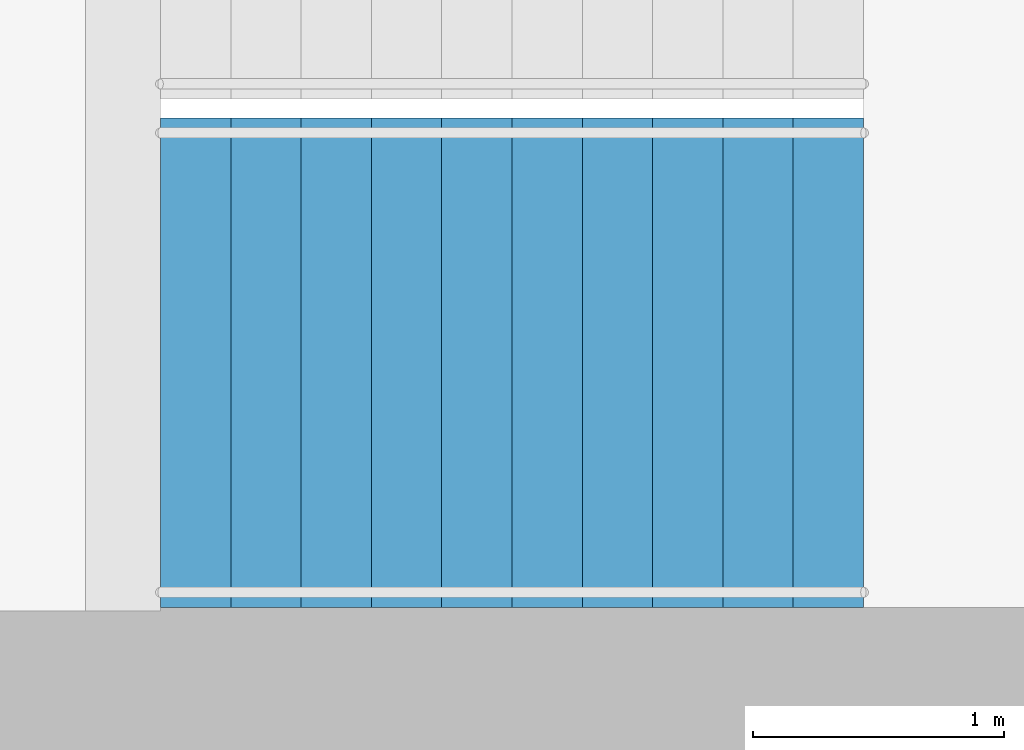
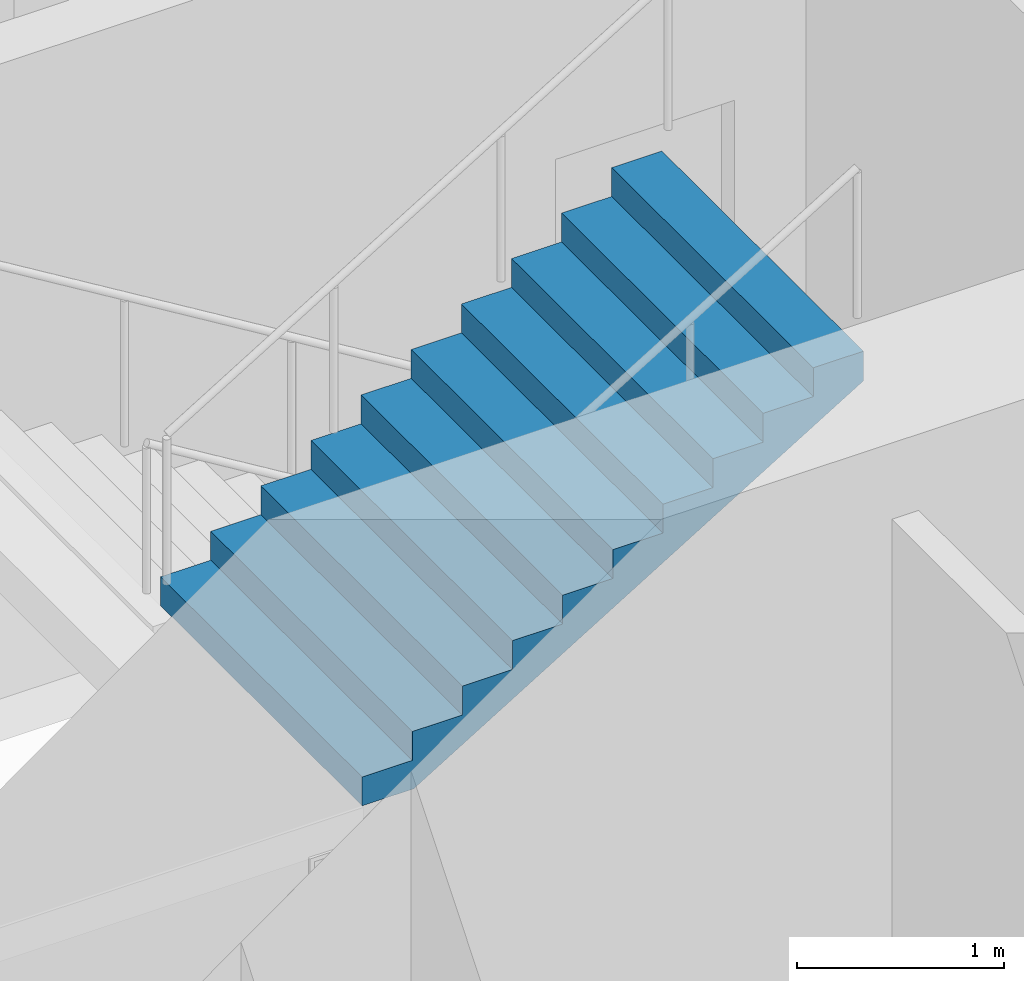
# One storey, part 19 of 21: 1 stair flight, 1 element without a shape of its own.
"""IFC4 building model written with IfcOpenShell, lengths in metres."""

from ifc_helpers import new_model, si_unit, direction, frame, origin, place, context, subcontext, project, spatial, triangles, material, type_object, element, aggregate, save


model = new_model("IFC4")

# Units and contexts
model_context = context("Model", 3, precision=1e-05, world=origin(), true_north=direction((0.0, 1.0)))
body_context = subcontext(model_context, "Body", "Model", "MODEL_VIEW")
ifc_project = project(units=[si_unit("LENGTHUNIT", "METRE"), si_unit("AREAUNIT", "SQUARE_METRE"), si_unit("VOLUMEUNIT", "CUBIC_METRE"), si_unit("PLANEANGLEUNIT", "RADIAN"), si_unit("MASSUNIT", "GRAM", prefix="KILO")], contexts=[model_context])

# Site, building, storey
site_placement = place(None, origin())
site = spatial("IfcSite", under=ifc_project, at=site_placement, CompositionType="ELEMENT")
building_placement = place(site_placement, origin())
building = spatial("IfcBuilding", under=site, at=building_placement, Name="Orbita Commons", CompositionType="ELEMENT")
storey_placement = place(building_placement, frame((0.0, 0.0, 95.64990234375)))
storey = spatial("IfcBuildingStorey", under=building, at=storey_placement, Name="L23", CompositionType="ELEMENT", Elevation=95.64990234375)

# Stair, stair flight
ifc_material_1 = material(Name="Precast concrete C40/50", Category="concrete")
stair_type = type_object("IfcStairType", Name="Exit stair S2 2 flights 11 risers 170", PredefinedType="HALF_TURN_STAIR", material=ifc_material_1)
stair_placement = place(storey_placement, origin())
stair = element("IfcStair", 1, at=stair_placement, inside=storey, type_object=stair_type, Name="Exit stair S2 L23", PredefinedType="HALF_TURN_STAIR")
ifc_material_2 = material(Name="Precast concrete C40/50", Category="concrete")
stair_flight_type = type_object("IfcStairFlightType", Name="Stair flight 11 risers 170 x 280", PredefinedType="STRAIGHT", material=ifc_material_2)
stair_flight_placement = place(storey_placement, frame((60.75, 27.25, 1.875), z_axis=(0.0, 0.0, 1.0), x_axis=(1.0, 0.0, 0.0)))
stair_flight = element("IfcStairFlight", 2, at=stair_flight_placement, type_object=stair_flight_type, Name="S2 flight 2", NumberOfRisers=11, NumberOfTreads=10, PredefinedType="STRAIGHT", RiserHeight=0.170454545, TreadLength=0.28, context=body_context, shape_type="Tessellation", body=[
    triangles([(0.0, 0.974976, 0.0), (0.0, 0.974976, 0.021307), (0.0, 0.81248, 0.021307), (0.0, 0.81248, 0.0), (0.0, 0.649984, 0.021307), (0.0, 0.649984, 0.0), (0.0, 0.487488, 0.021307), (0.0, 0.487488, 0.0), (0.0, 0.324992, 0.021307), (0.0, 0.324992, 0.0), (0.0, 0.162496, 0.021307), (0.0, 0.162496, 0.0), (0.0, 0.0, 0.021307), (0.0, 0.0, 0.0), (0.0, -0.162496, 0.021307), (0.0, -0.162496, 0.0), (0.0, -0.324992, 0.021307), (0.0, -0.324992, 0.0), (0.0, -0.487488, 0.021307), (0.0, -0.487488, 0.0), (0.0, -0.649984, 0.021307), (0.0, -0.649984, 0.0), (0.0, -0.81248, 0.021307), (0.0, -0.81248, 0.0), (0.0, -0.974976, 0.021307), (0.0, -0.974976, 0.0), (0.0, 0.974976, 0.042614), (0.0, 0.81248, 0.042614), (0.0, 0.649984, 0.042614), (0.0, 0.487488, 0.042614), (0.0, 0.324992, 0.042614), (0.0, 0.162496, 0.042614), (0.0, 0.0, 0.042614), (0.0, -0.162496, 0.042614), (0.0, -0.324992, 0.042614), (0.0, -0.487488, 0.042614), (0.0, -0.649984, 0.042614), (0.0, -0.81248, 0.042614), (0.0, -0.974976, 0.042614), (0.0, 0.974976, 0.06392), (0.0, 0.81248, 0.06392), (0.0, 0.649984, 0.06392), (0.0, 0.487488, 0.06392), (0.0, 0.324992, 0.06392), (0.0, 0.162496, 0.06392), (0.0, 0.0, 0.06392), (0.0, -0.162496, 0.06392), (0.0, -0.324992, 0.06392), (0.0, -0.487488, 0.06392), (0.0, -0.649984, 0.06392), (0.0, -0.81248, 0.06392), (0.0, -0.974976, 0.06392), (0.0, 0.974976, 0.085227), (0.0, 0.81248, 0.085227), (0.0, 0.649984, 0.085227), (0.0, 0.487488, 0.085227), (0.0, 0.324992, 0.085227), (0.0, 0.162496, 0.085227), (0.0, 0.0, 0.085227), (0.0, -0.162496, 0.085227), (0.0, -0.324992, 0.085227), (0.0, -0.487488, 0.085227), (0.0, -0.649984, 0.085227), (0.0, -0.81248, 0.085227), (0.0, -0.974976, 0.085227), (0.0, 0.974976, 0.106534), (0.0, 0.81248, 0.106534), (0.0, 0.649984, 0.106534), (0.0, 0.487488, 0.106534), (0.0, 0.324992, 0.106534), (0.0, 0.162496, 0.106534), (0.0, 0.0, 0.106534), (0.0, -0.162496, 0.106534), (0.0, -0.324992, 0.106534), (0.0, -0.487488, 0.106534), (0.0, -0.649984, 0.106534), (0.0, -0.81248, 0.106534), (0.0, -0.974976, 0.106534), (0.0, 0.974976, 0.127841), (0.0, 0.81248, 0.127841), (0.0, 0.649984, 0.127841), (0.0, 0.487488, 0.127841), (0.0, 0.324992, 0.127841), (0.0, 0.162496, 0.127841), (0.0, 0.0, 0.127841), (0.0, -0.162496, 0.127841), (0.0, -0.324992, 0.127841), (0.0, -0.487488, 0.127841), (0.0, -0.649984, 0.127841), (0.0, -0.81248, 0.127841), (0.0, -0.974976, 0.127841), (0.0, 0.974976, 0.149148), (0.0, 0.81248, 0.149148), (0.0, 0.649984, 0.149148), (0.0, 0.487488, 0.149148), (0.0, 0.324992, 0.149148), (0.0, 0.162496, 0.149148), (0.0, 0.0, 0.149148), (0.0, -0.162496, 0.149148), (0.0, -0.324992, 0.149148), (0.0, -0.487488, 0.149148), (0.0, -0.649984, 0.149148), (0.0, -0.81248, 0.149148), (0.0, -0.974976, 0.149148), (0.0, 0.974976, 0.170455), (0.0, 0.81248, 0.170455), (0.0, 0.649984, 0.170455), (0.0, 0.487488, 0.170455), (0.0, 0.324992, 0.170455), (0.0, 0.162496, 0.170455), (0.0, 0.0, 0.170455), (0.0, -0.162496, 0.170455), (0.0, -0.324992, 0.170455), (0.0, -0.487488, 0.170455), (0.0, -0.649984, 0.170455), (0.0, -0.81248, 0.170455), (0.0, -0.974976, 0.170455), (0.28, 0.974976, 0.170455), (0.28, 0.81248, 0.170455), (0.28, 0.649984, 0.170455), (0.28, 0.487488, 0.170455), (0.28, 0.324992, 0.170455), (0.28, 0.162496, 0.170455), (0.28, 0.0, 0.170455), (0.28, -0.162496, 0.170455), (0.28, -0.324992, 0.170455), (0.28, -0.487488, 0.170455), (0.28, -0.649984, 0.170455), (0.28, -0.81248, 0.170455), (0.28, -0.974976, 0.170455), (0.28, 0.974976, 0.340909), (0.28, 0.81248, 0.340909), (0.28, 0.649984, 0.340909), (0.28, 0.487488, 0.340909), (0.28, 0.324992, 0.340909), (0.28, 0.162496, 0.340909), (0.28, 0.0, 0.340909), (0.28, -0.162496, 0.340909), (0.28, -0.324992, 0.340909), (0.28, -0.487488, 0.340909), (0.28, -0.649984, 0.340909), (0.28, -0.81248, 0.340909), (0.28, -0.974976, 0.340909), (0.56, 0.974976, 0.340909), (0.56, 0.81248, 0.340909), (0.56, 0.649984, 0.340909), (0.56, 0.487488, 0.340909), (0.56, 0.324992, 0.340909), (0.56, 0.162496, 0.340909), (0.56, 0.0, 0.340909), (0.56, -0.162496, 0.340909), (0.56, -0.324992, 0.340909), (0.56, -0.487488, 0.340909), (0.56, -0.649984, 0.340909), (0.56, -0.81248, 0.340909), (0.56, -0.974976, 0.340909), (0.56, 0.974976, 0.511364), (0.56, 0.81248, 0.511364), (0.56, 0.649984, 0.511364), (0.56, 0.487488, 0.511364), (0.56, 0.324992, 0.511364), (0.56, 0.162496, 0.511364), (0.56, 0.0, 0.511364), (0.56, -0.162496, 0.511364), (0.56, -0.324992, 0.511364), (0.56, -0.487488, 0.511364), (0.56, -0.649984, 0.511364), (0.56, -0.81248, 0.511364), (0.56, -0.974976, 0.511364), (0.84, 0.974976, 0.511364), (0.84, 0.81248, 0.511364), (0.84, 0.649984, 0.511364), (0.84, 0.487488, 0.511364), (0.84, 0.324992, 0.511364), (0.84, 0.162496, 0.511364), (0.84, 0.0, 0.511364), (0.84, -0.162496, 0.511364), (0.84, -0.324992, 0.511364), (0.84, -0.487488, 0.511364), (0.84, -0.649984, 0.511364), (0.84, -0.81248, 0.511364), (0.84, -0.974976, 0.511364), (0.84, 0.974976, 0.681818), (0.84, 0.81248, 0.681818), (0.84, 0.649984, 0.681818), (0.84, 0.487488, 0.681818), (0.84, 0.324992, 0.681818), (0.84, 0.162496, 0.681818), (0.84, 0.0, 0.681818), (0.84, -0.162496, 0.681818), (0.84, -0.324992, 0.681818), (0.84, -0.487488, 0.681818), (0.84, -0.649984, 0.681818), (0.84, -0.81248, 0.681818), (0.84, -0.974976, 0.681818), (1.12, 0.974976, 0.681818), (1.12, 0.81248, 0.681818), (1.12, 0.649984, 0.681818), (1.12, 0.487488, 0.681818), (1.12, 0.324992, 0.681818), (1.12, 0.162496, 0.681818), (1.12, 0.0, 0.681818), (1.12, -0.162496, 0.681818), (1.12, -0.324992, 0.681818), (1.12, -0.487488, 0.681818), (1.12, -0.649984, 0.681818), (1.12, -0.81248, 0.681818), (1.12, -0.974976, 0.681818), (1.12, 0.974976, 0.852273), (1.12, 0.81248, 0.852273), (1.12, 0.649984, 0.852273), (1.12, 0.487488, 0.852273), (1.12, 0.324992, 0.852273), (1.12, 0.162496, 0.852273), (1.12, 0.0, 0.852273), (1.12, -0.162496, 0.852273), (1.12, -0.324992, 0.852273), (1.12, -0.487488, 0.852273), (1.12, -0.649984, 0.852273), (1.12, -0.81248, 0.852273), (1.12, -0.974976, 0.852273), (1.4, 0.974976, 0.852273), (1.4, 0.81248, 0.852273), (1.4, 0.649984, 0.852273), (1.4, 0.487488, 0.852273), (1.4, 0.324992, 0.852273), (1.4, 0.162496, 0.852273), (1.4, 0.0, 0.852273), (1.4, -0.162496, 0.852273), (1.4, -0.324992, 0.852273), (1.4, -0.487488, 0.852273), (1.4, -0.649984, 0.852273), (1.4, -0.81248, 0.852273), (1.4, -0.974976, 0.852273), (1.4, 0.974976, 1.022727), (1.4, 0.81248, 1.022727), (1.4, 0.649984, 1.022727), (1.4, 0.487488, 1.022727), (1.4, 0.324992, 1.022727), (1.4, 0.162496, 1.022727), (1.4, 0.0, 1.022727), (1.4, -0.162496, 1.022727), (1.4, -0.324992, 1.022727), (1.4, -0.487488, 1.022727), (1.4, -0.649984, 1.022727), (1.4, -0.81248, 1.022727), (1.4, -0.974976, 1.022727), (1.68, 0.974976, 1.022727), (1.68, 0.81248, 1.022727), (1.68, 0.649984, 1.022727), (1.68, 0.487488, 1.022727), (1.68, 0.324992, 1.022727), (1.68, 0.162496, 1.022727), (1.68, 0.0, 1.022727), (1.68, -0.162496, 1.022727), (1.68, -0.324992, 1.022727), (1.68, -0.487488, 1.022727), (1.68, -0.649984, 1.022727), (1.68, -0.81248, 1.022727), (1.68, -0.974976, 1.022727), (1.68, 0.974976, 1.193182), (1.68, 0.81248, 1.193182), (1.68, 0.649984, 1.193182), (1.68, 0.487488, 1.193182), (1.68, 0.324992, 1.193182), (1.68, 0.162496, 1.193182), (1.68, 0.0, 1.193182), (1.68, -0.162496, 1.193182), (1.68, -0.324992, 1.193182), (1.68, -0.487488, 1.193182), (1.68, -0.649984, 1.193182), (1.68, -0.81248, 1.193182), (1.68, -0.974976, 1.193182), (1.96, 0.974976, 1.193182), (1.96, 0.81248, 1.193182), (1.96, 0.649984, 1.193182), (1.96, 0.487488, 1.193182), (1.96, 0.324992, 1.193182), (1.96, 0.162496, 1.193182), (1.96, 0.0, 1.193182), (1.96, -0.162496, 1.193182), (1.96, -0.324992, 1.193182), (1.96, -0.487488, 1.193182), (1.96, -0.649984, 1.193182), (1.96, -0.81248, 1.193182), (1.96, -0.974976, 1.193182), (1.96, 0.974976, 1.363636), (1.96, 0.81248, 1.363636), (1.96, 0.649984, 1.363636), (1.96, 0.487488, 1.363636), (1.96, 0.324992, 1.363636), (1.96, 0.162496, 1.363636), (1.96, 0.0, 1.363636), (1.96, -0.162496, 1.363636), (1.96, -0.324992, 1.363636), (1.96, -0.487488, 1.363636), (1.96, -0.649984, 1.363636), (1.96, -0.81248, 1.363636), (1.96, -0.974976, 1.363636), (2.24, 0.974976, 1.363636), (2.24, 0.81248, 1.363636), (2.24, 0.649984, 1.363636), (2.24, 0.487488, 1.363636), (2.24, 0.324992, 1.363636), (2.24, 0.162496, 1.363636), (2.24, 0.0, 1.363636), (2.24, -0.162496, 1.363636), (2.24, -0.324992, 1.363636), (2.24, -0.487488, 1.363636), (2.24, -0.649984, 1.363636), (2.24, -0.81248, 1.363636), (2.24, -0.974976, 1.363636), (2.24, 0.974976, 1.534091), (2.24, 0.81248, 1.534091), (2.24, 0.649984, 1.534091), (2.24, 0.487488, 1.534091), (2.24, 0.324992, 1.534091), (2.24, 0.162496, 1.534091), (2.24, 0.0, 1.534091), (2.24, -0.162496, 1.534091), (2.24, -0.324992, 1.534091), (2.24, -0.487488, 1.534091), (2.24, -0.649984, 1.534091), (2.24, -0.81248, 1.534091), (2.24, -0.974976, 1.534091), (2.52, 0.974976, 1.534091), (2.52, 0.81248, 1.534091), (2.52, 0.649984, 1.534091), (2.52, 0.487488, 1.534091), (2.52, 0.324992, 1.534091), (2.52, 0.162496, 1.534091), (2.52, 0.0, 1.534091), (2.52, -0.162496, 1.534091), (2.52, -0.324992, 1.534091), (2.52, -0.487488, 1.534091), (2.52, -0.649984, 1.534091), (2.52, -0.81248, 1.534091), (2.52, -0.974976, 1.534091), (2.52, 0.974976, 1.704545), (2.52, 0.81248, 1.704545), (2.52, 0.649984, 1.704545), (2.52, 0.487488, 1.704545), (2.52, 0.324992, 1.704545), (2.52, 0.162496, 1.704545), (2.52, 0.0, 1.704545), (2.52, -0.162496, 1.704545), (2.52, -0.324992, 1.704545), (2.52, -0.487488, 1.704545), (2.52, -0.649984, 1.704545), (2.52, -0.81248, 1.704545), (2.52, -0.974976, 1.704545), (2.8, 0.974976, 1.704545), (2.8, 0.81248, 1.704545), (2.8, 0.649984, 1.704545), (2.8, 0.487488, 1.704545), (2.8, 0.324992, 1.704545), (2.8, 0.162496, 1.704545), (2.8, 0.0, 1.704545), (2.8, -0.162496, 1.704545), (2.8, -0.324992, 1.704545), (2.8, -0.487488, 1.704545), (2.8, -0.649984, 1.704545), (2.8, -0.81248, 1.704545), (2.8, -0.974976, 1.704545), (2.8, 0.974976, 1.682609), (2.8, 0.81248, 1.682609), (2.8, 0.649984, 1.682609), (2.8, 0.487488, 1.682609), (2.8, 0.324992, 1.682609), (2.8, 0.162496, 1.682609), (2.8, 0.0, 1.682609), (2.8, -0.162496, 1.682609), (2.8, -0.324992, 1.682609), (2.8, -0.487488, 1.682609), (2.8, -0.649984, 1.682609), (2.8, -0.81248, 1.682609), (2.8, -0.974976, 1.682609), (2.8, 0.974976, 1.660672), (2.8, 0.81248, 1.660672), (2.8, 0.649984, 1.660672), (2.8, 0.487488, 1.660672), (2.8, 0.324992, 1.660672), (2.8, 0.162496, 1.660672), (2.8, 0.0, 1.660672), (2.8, -0.162496, 1.660672), (2.8, -0.324992, 1.660672), (2.8, -0.487488, 1.660672), (2.8, -0.649984, 1.660672), (2.8, -0.81248, 1.660672), (2.8, -0.974976, 1.660672), (2.8, 0.974976, 1.638735), (2.8, 0.81248, 1.638735), (2.8, 0.649984, 1.638735), (2.8, 0.487488, 1.638735), (2.8, 0.324992, 1.638735), (2.8, 0.162496, 1.638735), (2.8, 0.0, 1.638735), (2.8, -0.162496, 1.638735), (2.8, -0.324992, 1.638735), (2.8, -0.487488, 1.638735), (2.8, -0.649984, 1.638735), (2.8, -0.81248, 1.638735), (2.8, -0.974976, 1.638735), (2.8, 0.974976, 1.616798), (2.8, 0.81248, 1.616798), (2.8, 0.649984, 1.616798), (2.8, 0.487488, 1.616798), (2.8, 0.324992, 1.616798), (2.8, 0.162496, 1.616798), (2.8, 0.0, 1.616798), (2.8, -0.162496, 1.616798), (2.8, -0.324992, 1.616798), (2.8, -0.487488, 1.616798), (2.8, -0.649984, 1.616798), (2.8, -0.81248, 1.616798), (2.8, -0.974976, 1.616798), (2.8, 0.974976, 1.594861), (2.8, 0.81248, 1.594861), (2.8, 0.649984, 1.594861), (2.8, 0.487488, 1.594861), (2.8, 0.324992, 1.594861), (2.8, 0.162496, 1.594861), (2.8, 0.0, 1.594861), (2.8, -0.162496, 1.594861), (2.8, -0.324992, 1.594861), (2.8, -0.487488, 1.594861), (2.8, -0.649984, 1.594861), (2.8, -0.81248, 1.594861), (2.8, -0.974976, 1.594861), (2.8, 0.974976, 1.572925), (2.8, 0.81248, 1.572925), (2.8, 0.649984, 1.572925), (2.8, 0.487488, 1.572925), (2.8, 0.324992, 1.572925), (2.8, 0.162496, 1.572925), (2.8, 0.0, 1.572925), (2.8, -0.162496, 1.572925), (2.8, -0.324992, 1.572925), (2.8, -0.487488, 1.572925), (2.8, -0.649984, 1.572925), (2.8, -0.81248, 1.572925), (2.8, -0.974976, 1.572925), (2.8, 0.974976, 1.550988), (2.8, 0.81248, 1.550988), (2.8, 0.649984, 1.550988), (2.8, 0.487488, 1.550988), (2.8, 0.324992, 1.550988), (2.8, 0.162496, 1.550988), (2.8, 0.0, 1.550988), (2.8, -0.162496, 1.550988), (2.8, -0.324992, 1.550988), (2.8, -0.487488, 1.550988), (2.8, -0.649984, 1.550988), (2.8, -0.81248, 1.550988), (2.8, -0.974976, 1.550988), (2.8, 0.974976, 1.529051), (2.8, 0.81248, 1.529051), (2.8, 0.649984, 1.529051), (2.8, 0.487488, 1.529051), (2.8, 0.324992, 1.529051), (2.8, 0.162496, 1.529051), (2.8, 0.0, 1.529051), (2.8, -0.162496, 1.529051), (2.8, -0.324992, 1.529051), (2.8, -0.487488, 1.529051), (2.8, -0.649984, 1.529051), (2.8, -0.81248, 1.529051), (2.8, -0.974976, 1.529051), (0.288279, 0.974976, 0.0), (0.288279, 0.81248, 0.0), (0.288279, 0.649984, 0.0), (0.288279, 0.487488, 0.0), (0.288279, 0.324992, 0.0), (0.288279, 0.162496, 0.0), (0.288279, 0.0, 0.0), (0.288279, -0.162496, 0.0), (0.288279, -0.324992, 0.0), (0.288279, -0.487488, 0.0), (0.288279, -0.649984, 0.0), (0.288279, -0.81248, 0.0), (0.288279, -0.974976, 0.0)], [[3, 2, 1], [4, 3, 1], [5, 3, 4], [6, 5, 4], [7, 5, 6], [8, 7, 6], [9, 7, 8], [10, 9, 8], [11, 9, 10], [12, 11, 10], [13, 11, 12], [14, 13, 12], [15, 13, 14], [16, 15, 14], [17, 15, 16], [18, 17, 16], [19, 17, 18], [20, 19, 18], [21, 19, 20], [22, 21, 20], [23, 21, 22], [24, 23, 22], [25, 23, 24], [26, 25, 24], [28, 27, 2], [3, 28, 2], [29, 28, 3], [5, 29, 3], [30, 29, 5], [7, 30, 5], [31, 30, 7], [9, 31, 7], [32, 31, 9], [11, 32, 9], [33, 32, 11], [13, 33, 11], [34, 33, 13], [15, 34, 13], [35, 34, 15], [17, 35, 15], [36, 35, 17], [19, 36, 17], [37, 36, 19], [21, 37, 19], [38, 37, 21], [23, 38, 21], [39, 38, 23], [25, 39, 23], [41, 40, 27], [28, 41, 27], [42, 41, 28], [29, 42, 28], [43, 42, 29], [30, 43, 29], [44, 43, 30], [31, 44, 30], [45, 44, 31], [32, 45, 31], [46, 45, 32], [33, 46, 32], [47, 46, 33], [34, 47, 33], [48, 47, 34], [35, 48, 34], [49, 48, 35], [36, 49, 35], [50, 49, 36], [37, 50, 36], [51, 50, 37], [38, 51, 37], [52, 51, 38], [39, 52, 38], [54, 53, 40], [41, 54, 40], [55, 54, 41], [42, 55, 41], [56, 55, 42], [43, 56, 42], [57, 56, 43], [44, 57, 43], [58, 57, 44], [45, 58, 44], [59, 58, 45], [46, 59, 45], [60, 59, 46], [47, 60, 46], [61, 60, 47], [48, 61, 47], [62, 61, 48], [49, 62, 48], [63, 62, 49], [50, 63, 49], [64, 63, 50], [51, 64, 50], [65, 64, 51], [52, 65, 51], [67, 66, 53], [54, 67, 53], [68, 67, 54], [55, 68, 54], [69, 68, 55], [56, 69, 55], [70, 69, 56], [57, 70, 56], [71, 70, 57], [58, 71, 57], [72, 71, 58], [59, 72, 58], [73, 72, 59], [60, 73, 59], [74, 73, 60], [61, 74, 60], [75, 74, 61], [62, 75, 61], [76, 75, 62], [63, 76, 62], [77, 76, 63], [64, 77, 63], [78, 77, 64], [65, 78, 64], [80, 79, 66], [67, 80, 66], [81, 80, 67], [68, 81, 67], [82, 81, 68], [69, 82, 68], [83, 82, 69], [70, 83, 69], [84, 83, 70], [71, 84, 70], [85, 84, 71], [72, 85, 71], [86, 85, 72], [73, 86, 72], [87, 86, 73], [74, 87, 73], [88, 87, 74], [75, 88, 74], [89, 88, 75], [76, 89, 75], [90, 89, 76], [77, 90, 76], [91, 90, 77], [78, 91, 77], [93, 92, 79], [80, 93, 79], [94, 93, 80], [81, 94, 80], [95, 94, 81], [82, 95, 81], [96, 95, 82], [83, 96, 82], [97, 96, 83], [84, 97, 83], [98, 97, 84], [85, 98, 84], [99, 98, 85], [86, 99, 85], [100, 99, 86], [87, 100, 86], [101, 100, 87], [88, 101, 87], [102, 101, 88], [89, 102, 88], [103, 102, 89], [90, 103, 89], [104, 103, 90], [91, 104, 90], [106, 105, 92], [93, 106, 92], [107, 106, 93], [94, 107, 93], [108, 107, 94], [95, 108, 94], [109, 108, 95], [96, 109, 95], [110, 109, 96], [97, 110, 96], [111, 110, 97], [98, 111, 97], [112, 111, 98], [99, 112, 98], [113, 112, 99], [100, 113, 99], [114, 113, 100], [101, 114, 100], [115, 114, 101], [102, 115, 101], [116, 115, 102], [103, 116, 102], [117, 116, 103], [104, 117, 103], [119, 118, 105], [106, 119, 105], [120, 119, 106], [107, 120, 106], [121, 120, 107], [108, 121, 107], [122, 121, 108], [109, 122, 108], [123, 122, 109], [110, 123, 109], [124, 123, 110], [111, 124, 110], [125, 124, 111], [112, 125, 111], [126, 125, 112], [113, 126, 112], [127, 126, 113], [114, 127, 113], [128, 127, 114], [115, 128, 114], [129, 128, 115], [116, 129, 115], [130, 129, 116], [117, 130, 116], [132, 131, 118], [119, 132, 118], [133, 132, 119], [120, 133, 119], [134, 133, 120], [121, 134, 120], [135, 134, 121], [122, 135, 121], [136, 135, 122], [123, 136, 122], [137, 136, 123], [124, 137, 123], [138, 137, 124], [125, 138, 124], [139, 138, 125], [126, 139, 125], [140, 139, 126], [127, 140, 126], [141, 140, 127], [128, 141, 127], [142, 141, 128], [129, 142, 128], [143, 142, 129], [130, 143, 129], [145, 144, 131], [132, 145, 131], [146, 145, 132], [133, 146, 132], [147, 146, 133], [134, 147, 133], [148, 147, 134], [135, 148, 134], [149, 148, 135], [136, 149, 135], [150, 149, 136], [137, 150, 136], [151, 150, 137], [138, 151, 137], [152, 151, 138], [139, 152, 138], [153, 152, 139], [140, 153, 139], [154, 153, 140], [141, 154, 140], [155, 154, 141], [142, 155, 141], [156, 155, 142], [143, 156, 142], [158, 157, 144], [145, 158, 144], [159, 158, 145], [146, 159, 145], [160, 159, 146], [147, 160, 146], [161, 160, 147], [148, 161, 147], [162, 161, 148], [149, 162, 148], [163, 162, 149], [150, 163, 149], [164, 163, 150], [151, 164, 150], [165, 164, 151], [152, 165, 151], [166, 165, 152], [153, 166, 152], [167, 166, 153], [154, 167, 153], [168, 167, 154], [155, 168, 154], [169, 168, 155], [156, 169, 155], [171, 170, 157], [158, 171, 157], [172, 171, 158], [159, 172, 158], [173, 172, 159], [160, 173, 159], [174, 173, 160], [161, 174, 160], [175, 174, 161], [162, 175, 161], [176, 175, 162], [163, 176, 162], [177, 176, 163], [164, 177, 163], [178, 177, 164], [165, 178, 164], [179, 178, 165], [166, 179, 165], [180, 179, 166], [167, 180, 166], [181, 180, 167], [168, 181, 167], [182, 181, 168], [169, 182, 168], [184, 183, 170], [171, 184, 170], [185, 184, 171], [172, 185, 171], [186, 185, 172], [173, 186, 172], [187, 186, 173], [174, 187, 173], [188, 187, 174], [175, 188, 174], [189, 188, 175], [176, 189, 175], [190, 189, 176], [177, 190, 176], [191, 190, 177], [178, 191, 177], [192, 191, 178], [179, 192, 178], [193, 192, 179], [180, 193, 179], [194, 193, 180], [181, 194, 180], [195, 194, 181], [182, 195, 181], [197, 196, 183], [184, 197, 183], [198, 197, 184], [185, 198, 184], [199, 198, 185], [186, 199, 185], [200, 199, 186], [187, 200, 186], [201, 200, 187], [188, 201, 187], [202, 201, 188], [189, 202, 188], [203, 202, 189], [190, 203, 189], [204, 203, 190], [191, 204, 190], [205, 204, 191], [192, 205, 191], [206, 205, 192], [193, 206, 192], [207, 206, 193], [194, 207, 193], [208, 207, 194], [195, 208, 194], [210, 209, 196], [197, 210, 196], [211, 210, 197], [198, 211, 197], [212, 211, 198], [199, 212, 198], [213, 212, 199], [200, 213, 199], [214, 213, 200], [201, 214, 200], [215, 214, 201], [202, 215, 201], [216, 215, 202], [203, 216, 202], [217, 216, 203], [204, 217, 203], [218, 217, 204], [205, 218, 204], [219, 218, 205], [206, 219, 205], [220, 219, 206], [207, 220, 206], [221, 220, 207], [208, 221, 207], [223, 222, 209], [210, 223, 209], [224, 223, 210], [211, 224, 210], [225, 224, 211], [212, 225, 211], [226, 225, 212], [213, 226, 212], [227, 226, 213], [214, 227, 213], [228, 227, 214], [215, 228, 214], [229, 228, 215], [216, 229, 215], [230, 229, 216], [217, 230, 216], [231, 230, 217], [218, 231, 217], [232, 231, 218], [219, 232, 218], [233, 232, 219], [220, 233, 219], [234, 233, 220], [221, 234, 220], [236, 235, 222], [223, 236, 222], [237, 236, 223], [224, 237, 223], [238, 237, 224], [225, 238, 224], [239, 238, 225], [226, 239, 225], [240, 239, 226], [227, 240, 226], [241, 240, 227], [228, 241, 227], [242, 241, 228], [229, 242, 228], [243, 242, 229], [230, 243, 229], [244, 243, 230], [231, 244, 230], [245, 244, 231], [232, 245, 231], [246, 245, 232], [233, 246, 232], [247, 246, 233], [234, 247, 233], [249, 248, 235], [236, 249, 235], [250, 249, 236], [237, 250, 236], [251, 250, 237], [238, 251, 237], [252, 251, 238], [239, 252, 238], [253, 252, 239], [240, 253, 239], [254, 253, 240], [241, 254, 240], [255, 254, 241], [242, 255, 241], [256, 255, 242], [243, 256, 242], [257, 256, 243], [244, 257, 243], [258, 257, 244], [245, 258, 244], [259, 258, 245], [246, 259, 245], [260, 259, 246], [247, 260, 246], [262, 261, 248], [249, 262, 248], [263, 262, 249], [250, 263, 249], [264, 263, 250], [251, 264, 250], [265, 264, 251], [252, 265, 251], [266, 265, 252], [253, 266, 252], [267, 266, 253], [254, 267, 253], [268, 267, 254], [255, 268, 254], [269, 268, 255], [256, 269, 255], [270, 269, 256], [257, 270, 256], [271, 270, 257], [258, 271, 257], [272, 271, 258], [259, 272, 258], [273, 272, 259], [260, 273, 259], [275, 274, 261], [262, 275, 261], [276, 275, 262], [263, 276, 262], [277, 276, 263], [264, 277, 263], [278, 277, 264], [265, 278, 264], [279, 278, 265], [266, 279, 265], [280, 279, 266], [267, 280, 266], [281, 280, 267], [268, 281, 267], [282, 281, 268], [269, 282, 268], [283, 282, 269], [270, 283, 269], [284, 283, 270], [271, 284, 270], [285, 284, 271], [272, 285, 271], [286, 285, 272], [273, 286, 272], [288, 287, 274], [275, 288, 274], [289, 288, 275], [276, 289, 275], [290, 289, 276], [277, 290, 276], [291, 290, 277], [278, 291, 277], [292, 291, 278], [279, 292, 278], [293, 292, 279], [280, 293, 279], [294, 293, 280], [281, 294, 280], [295, 294, 281], [282, 295, 281], [296, 295, 282], [283, 296, 282], [297, 296, 283], [284, 297, 283], [298, 297, 284], [285, 298, 284], [299, 298, 285], [286, 299, 285], [301, 300, 287], [288, 301, 287], [302, 301, 288], [289, 302, 288], [303, 302, 289], [290, 303, 289], [304, 303, 290], [291, 304, 290], [305, 304, 291], [292, 305, 291], [306, 305, 292], [293, 306, 292], [307, 306, 293], [294, 307, 293], [308, 307, 294], [295, 308, 294], [309, 308, 295], [296, 309, 295], [310, 309, 296], [297, 310, 296], [311, 310, 297], [298, 311, 297], [312, 311, 298], [299, 312, 298], [314, 313, 300], [301, 314, 300], [315, 314, 301], [302, 315, 301], [316, 315, 302], [303, 316, 302], [317, 316, 303], [304, 317, 303], [318, 317, 304], [305, 318, 304], [319, 318, 305], [306, 319, 305], [320, 319, 306], [307, 320, 306], [321, 320, 307], [308, 321, 307], [322, 321, 308], [309, 322, 308], [323, 322, 309], [310, 323, 309], [324, 323, 310], [311, 324, 310], [325, 324, 311], [312, 325, 311], [327, 326, 313], [314, 327, 313], [328, 327, 314], [315, 328, 314], [329, 328, 315], [316, 329, 315], [330, 329, 316], [317, 330, 316], [331, 330, 317], [318, 331, 317], [332, 331, 318], [319, 332, 318], [333, 332, 319], [320, 333, 319], [334, 333, 320], [321, 334, 320], [335, 334, 321], [322, 335, 321], [336, 335, 322], [323, 336, 322], [337, 336, 323], [324, 337, 323], [338, 337, 324], [325, 338, 324], [340, 339, 326], [327, 340, 326], [341, 340, 327], [328, 341, 327], [342, 341, 328], [329, 342, 328], [343, 342, 329], [330, 343, 329], [344, 343, 330], [331, 344, 330], [345, 344, 331], [332, 345, 331], [346, 345, 332], [333, 346, 332], [347, 346, 333], [334, 347, 333], [348, 347, 334], [335, 348, 334], [349, 348, 335], [336, 349, 335], [350, 349, 336], [337, 350, 336], [351, 350, 337], [338, 351, 337], [353, 352, 339], [340, 353, 339], [354, 353, 340], [341, 354, 340], [355, 354, 341], [342, 355, 341], [356, 355, 342], [343, 356, 342], [357, 356, 343], [344, 357, 343], [358, 357, 344], [345, 358, 344], [359, 358, 345], [346, 359, 345], [360, 359, 346], [347, 360, 346], [361, 360, 347], [348, 361, 347], [362, 361, 348], [349, 362, 348], [363, 362, 349], [350, 363, 349], [364, 363, 350], [351, 364, 350], [366, 365, 352], [353, 366, 352], [367, 366, 353], [354, 367, 353], [368, 367, 354], [355, 368, 354], [369, 368, 355], [356, 369, 355], [370, 369, 356], [357, 370, 356], [371, 370, 357], [358, 371, 357], [372, 371, 358], [359, 372, 358], [373, 372, 359], [360, 373, 359], [374, 373, 360], [361, 374, 360], [375, 374, 361], [362, 375, 361], [376, 375, 362], [363, 376, 362], [377, 376, 363], [364, 377, 363], [379, 378, 365], [366, 379, 365], [380, 379, 366], [367, 380, 366], [381, 380, 367], [368, 381, 367], [382, 381, 368], [369, 382, 368], [383, 382, 369], [370, 383, 369], [384, 383, 370], [371, 384, 370], [385, 384, 371], [372, 385, 371], [386, 385, 372], [373, 386, 372], [387, 386, 373], [374, 387, 373], [388, 387, 374], [375, 388, 374], [389, 388, 375], [376, 389, 375], [390, 389, 376], [377, 390, 376], [392, 391, 378], [379, 392, 378], [393, 392, 379], [380, 393, 379], [394, 393, 380], [381, 394, 380], [395, 394, 381], [382, 395, 381], [396, 395, 382], [383, 396, 382], [397, 396, 383], [384, 397, 383], [398, 397, 384], [385, 398, 384], [399, 398, 385], [386, 399, 385], [400, 399, 386], [387, 400, 386], [401, 400, 387], [388, 401, 387], [402, 401, 388], [389, 402, 388], [403, 402, 389], [390, 403, 389], [405, 404, 391], [392, 405, 391], [406, 405, 392], [393, 406, 392], [407, 406, 393], [394, 407, 393], [408, 407, 394], [395, 408, 394], [409, 408, 395], [396, 409, 395], [410, 409, 396], [397, 410, 396], [411, 410, 397], [398, 411, 397], [412, 411, 398], [399, 412, 398], [413, 412, 399], [400, 413, 399], [414, 413, 400], [401, 414, 400], [415, 414, 401], [402, 415, 401], [416, 415, 402], [403, 416, 402], [418, 417, 404], [405, 418, 404], [419, 418, 405], [406, 419, 405], [420, 419, 406], [407, 420, 406], [421, 420, 407], [408, 421, 407], [422, 421, 408], [409, 422, 408], [423, 422, 409], [410, 423, 409], [424, 423, 410], [411, 424, 410], [425, 424, 411], [412, 425, 411], [426, 425, 412], [413, 426, 412], [427, 426, 413], [414, 427, 413], [428, 427, 414], [415, 428, 414], [429, 428, 415], [416, 429, 415], [431, 430, 417], [418, 431, 417], [432, 431, 418], [419, 432, 418], [433, 432, 419], [420, 433, 419], [434, 433, 420], [421, 434, 420], [435, 434, 421], [422, 435, 421], [436, 435, 422], [423, 436, 422], [437, 436, 423], [424, 437, 423], [438, 437, 424], [425, 438, 424], [439, 438, 425], [426, 439, 425], [440, 439, 426], [427, 440, 426], [441, 440, 427], [428, 441, 427], [442, 441, 428], [429, 442, 428], [444, 443, 430], [431, 444, 430], [445, 444, 431], [432, 445, 431], [446, 445, 432], [433, 446, 432], [447, 446, 433], [434, 447, 433], [448, 447, 434], [435, 448, 434], [449, 448, 435], [436, 449, 435], [450, 449, 436], [437, 450, 436], [451, 450, 437], [438, 451, 437], [452, 451, 438], [439, 452, 438], [453, 452, 439], [440, 453, 439], [454, 453, 440], [441, 454, 440], [455, 454, 441], [442, 455, 441], [457, 456, 443], [444, 457, 443], [458, 457, 444], [445, 458, 444], [459, 458, 445], [446, 459, 445], [460, 459, 446], [447, 460, 446], [461, 460, 447], [448, 461, 447], [462, 461, 448], [449, 462, 448], [463, 462, 449], [450, 463, 449], [464, 463, 450], [451, 464, 450], [465, 464, 451], [452, 465, 451], [466, 465, 452], [453, 466, 452], [467, 466, 453], [454, 467, 453], [468, 467, 454], [455, 468, 454], [470, 469, 456], [457, 470, 456], [471, 470, 457], [458, 471, 457], [472, 471, 458], [459, 472, 458], [473, 472, 459], [460, 473, 459], [474, 473, 460], [461, 474, 460], [475, 474, 461], [462, 475, 461], [476, 475, 462], [463, 476, 462], [477, 476, 463], [464, 477, 463], [478, 477, 464], [465, 478, 464], [479, 478, 465], [466, 479, 465], [480, 479, 466], [467, 480, 466], [481, 480, 467], [468, 481, 467], [4, 1, 469], [470, 4, 469], [6, 4, 470], [471, 6, 470], [8, 6, 471], [472, 8, 471], [10, 8, 472], [473, 10, 472], [12, 10, 473], [474, 12, 473], [14, 12, 474], [475, 14, 474], [16, 14, 475], [476, 16, 475], [18, 16, 476], [477, 18, 476], [20, 18, 477], [478, 20, 477], [22, 20, 478], [479, 22, 478], [24, 22, 479], [480, 24, 479], [26, 24, 480], [481, 26, 480], [456, 469, 1], [26, 481, 468], [443, 456, 1], [26, 468, 455], [430, 443, 1], [26, 455, 442], [417, 430, 1], [26, 442, 429], [404, 417, 1], [26, 429, 416], [391, 404, 1], [26, 416, 403], [378, 391, 1], [26, 403, 390], [365, 378, 1], [26, 390, 377], [339, 352, 365], [377, 364, 351], [326, 339, 365], [377, 351, 338], [300, 313, 326], [338, 325, 312], [300, 326, 365], [377, 338, 312], [274, 287, 300], [312, 299, 286], [274, 300, 365], [377, 312, 286], [248, 261, 274], [286, 273, 260], [248, 274, 365], [377, 286, 260], [222, 235, 248], [260, 247, 234], [222, 248, 365], [377, 260, 234], [196, 209, 222], [234, 221, 208], [196, 222, 365], [377, 234, 208], [170, 183, 196], [208, 195, 182], [170, 196, 365], [377, 208, 182], [144, 157, 170], [182, 169, 156], [144, 170, 365], [377, 182, 156], [118, 131, 144], [156, 143, 130], [118, 144, 365], [377, 156, 130], [118, 365, 1], [26, 377, 130], [92, 105, 118], [130, 117, 104], [79, 92, 118], [130, 104, 91], [66, 79, 118], [130, 91, 78], [53, 66, 118], [130, 78, 65], [40, 53, 118], [130, 65, 52], [27, 40, 118], [130, 52, 39], [2, 27, 118], [130, 39, 25], [1, 2, 118], [130, 25, 26]], closed=True),
])
aggregate(stair, [stair_flight])

save(model, "model.ifc")
